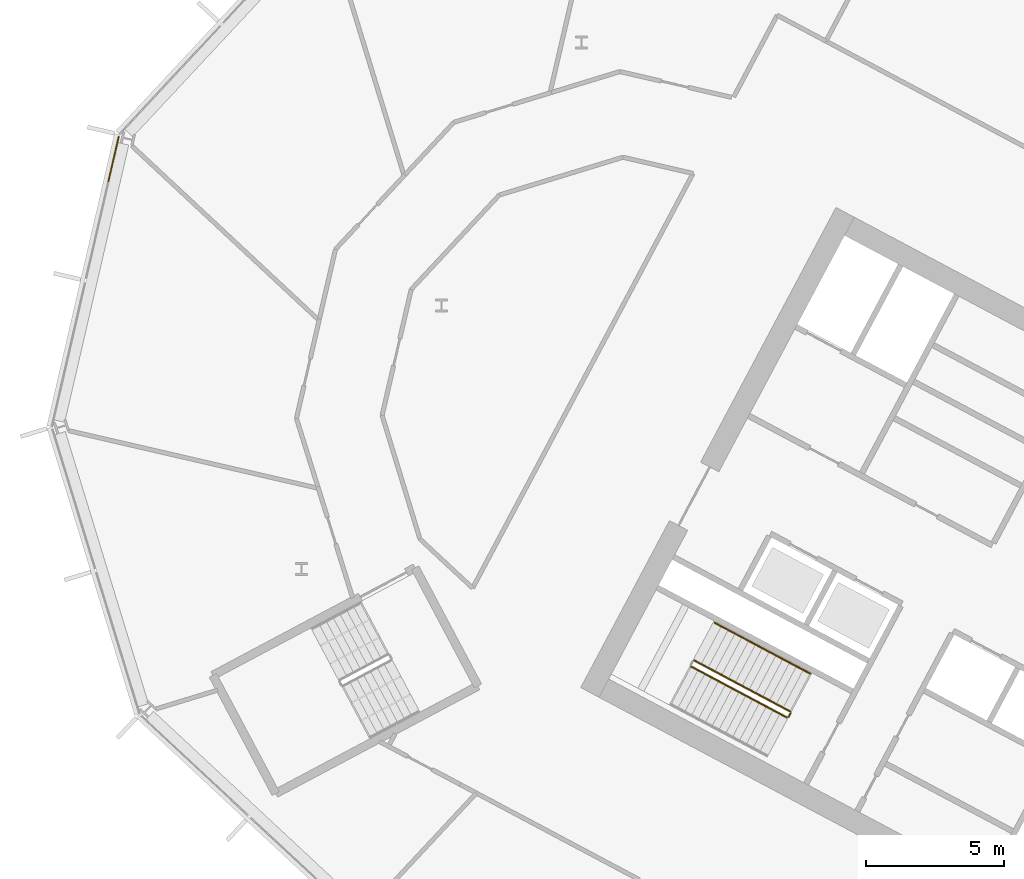
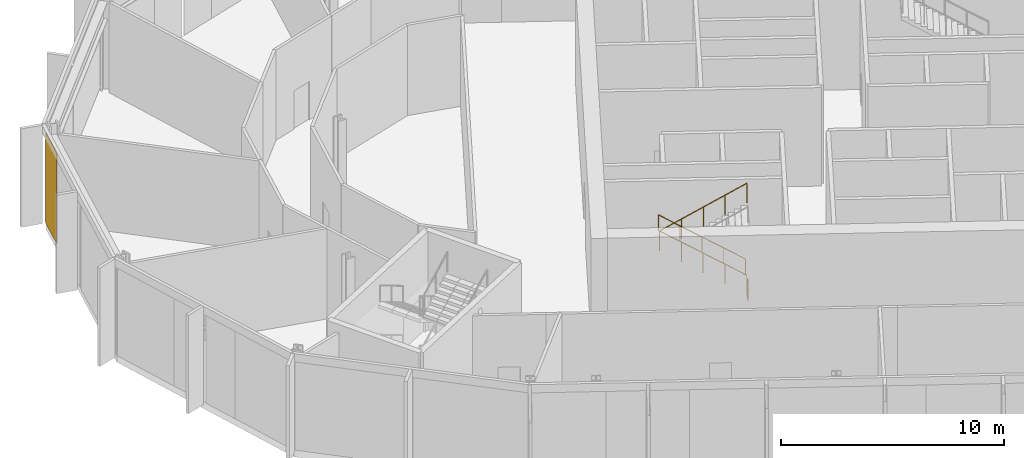
# One storey, part 23 of 31: 4 railings, 1 covering, 1 element without a shape of its own.
"""IFC4 building model written with IfcOpenShell, lengths in metres."""

from ifc_helpers import new_model, si_unit, direction, frame, origin, origin_2d, place, context, subcontext, project, spatial, polyline, rectangle, outline, extrude, material, layer, layer_set, type_object, element, aggregate, save


model = new_model("IFC4")

# Units and contexts
model_context = context("Model", 3, precision=1e-05, world=origin(), true_north=direction((0.0, 1.0)))
body_context = subcontext(model_context, "Body", "Model", "MODEL_VIEW")
ifc_project = project(units=[si_unit("LENGTHUNIT", "METRE"), si_unit("AREAUNIT", "SQUARE_METRE"), si_unit("VOLUMEUNIT", "CUBIC_METRE"), si_unit("PLANEANGLEUNIT", "RADIAN"), si_unit("MASSUNIT", "GRAM", prefix="KILO")], contexts=[model_context])

# Site, building, storey
site_placement = place(None, origin())
site = spatial("IfcSite", under=ifc_project, at=site_placement, CompositionType="ELEMENT")
building_placement = place(site_placement, origin())
building = spatial("IfcBuilding", under=site, at=building_placement, Name="Cormorant Relay Tower", CompositionType="ELEMENT")
storey_placement = place(building_placement, frame((0.0, 0.0, 178.199951171875)))
storey = spatial("IfcBuildingStorey", under=building, at=storey_placement, Name="L38", CompositionType="ELEMENT", Elevation=178.199951171875)

# Curtain wall, covering
ifc_material_1 = material(Name="Aluminium 6063-T6 anodised bronze", Category="aluminium")
ifc_layer_1 = layer(ifc_material_1, 0.199951171875)
ifc_layer_set_1 = layer_set([ifc_layer_1], Name="CW1 unitised bronze curtain wall with vertical fins")
curtain_wall_type = type_object("IfcCurtainWallType", Name="CW1 unitised bronze curtain wall with vertical fins", PredefinedType="NOTDEFINED", material=ifc_layer_set_1)
curtain_wall_placement = place(storey_placement, origin())
curtain_wall = element("IfcCurtainWall", 1, at=curtain_wall_placement, inside=storey, type_object=curtain_wall_type, Name="CW1 curtain wall 13", PredefinedType="NOTDEFINED")
ifc_material_2 = material(Name="Pale bronze anodised aluminium insulated panel", Category="aluminium")
ifc_layer_2 = layer(ifc_material_2, 0.0400390625)
ifc_layer_set_2 = layer_set([ifc_layer_2], Name="CW1 pale bronze insulated panel 40")
covering_type = type_object("IfcCoveringType", Name="CW1 pale bronze insulated panel 40", PredefinedType="CLADDING", material=ifc_layer_set_2)
covering_placement = place(storey_placement, frame((-58.50048828125, 30.095458984375, 0.0), z_axis=(0.0, 0.0, 1.0), x_axis=(-0.224951054344, -0.974370064785, 0.0)))
covering = element("IfcCovering", 2, at=covering_placement, type_object=covering_type, Name="CW1 panel S00", PredefinedType="CLADDING", context=body_context, shape_type="SweptSolid", body=[
    extrude(rectangle(XDim=1.685302734375, YDim=0.0400390625, at=origin_2d()), origin(), (0.0, 0.0, 1.0), 4.949951171875),
])
aggregate(curtain_wall, [covering])

# Railings
ifc_material_3 = material(Name="Steel ASTM A572 Grade 50 (Fy 345 MPa)", Category="steel")
railing_type_1 = type_object("IfcRailingType", Name="Stair guard 1100", PredefinedType="GUARDRAIL", material=ifc_material_3)
railing_1_placement = place(storey_placement, frame((-33.9921875, 10.08935546875, 0.179931640625)))
element("IfcRailing", 3, at=railing_1_placement, inside=storey, type_object=railing_type_1, Name="L38 A2 stair guard 1", PredefinedType="GUARDRAIL", context=body_context, shape_type="SweptSolid", body=[
    extrude(outline(polyline([(0.022216796875, 0.00927734375), (0.00927734375, 0.022216796875), (-0.00927734375, 0.022216796875), (-0.022216796875, 0.00927734375), (-0.022216796875, -0.00927734375), (-0.00927734375, -0.022216796875), (0.00927734375, -0.022216796875), (0.022216796875, -0.00927734375), (0.022216796875, 0.00927734375)])), frame((0.0, 0.0, 1.076171875), z_axis=(-0.74271721126, 0.394907409077, 0.540758062681), x_axis=(-0.469469396681, -0.882948744594, 0.0)), (0.0, 0.0, 1.0), 4.66015625),
    extrude(outline(polyline([(0.019287109375, 0.008056640625), (0.008056640625, 0.019287109375), (-0.008056640625, 0.019287109375), (-0.019287109375, 0.008056640625), (-0.019287109375, -0.008056640625), (-0.008056640625, -0.019287109375), (0.008056640625, -0.019287109375), (0.019287109375, -0.008056640625), (0.019287109375, 0.008056640625)])), origin(), (0.0, 0.0, 1.0), 1.052001953125),
    extrude(outline(polyline([(0.019287109375, 0.008056640625), (0.008056640625, 0.019287109375), (-0.008056640625, 0.019287109375), (-0.019287109375, 0.008056640625), (-0.019287109375, -0.008056640625), (-0.008056640625, -0.019287109375), (0.008056640625, -0.019287109375), (0.019287109375, -0.008056640625), (0.019287109375, 0.008056640625)])), frame((-0.865234375, 0.4599609375, 0.6298828125)), (0.0, 0.0, 1.0), 1.052001953125),
    extrude(outline(polyline([(0.019287109375, 0.008056640625), (0.008056640625, 0.019287109375), (-0.008056640625, 0.019287109375), (-0.019287109375, 0.008056640625), (-0.019287109375, -0.008056640625), (-0.008056640625, -0.019287109375), (0.008056640625, -0.019287109375), (0.019287109375, -0.008056640625), (0.019287109375, 0.008056640625)])), frame((-1.73046875, 0.920166015625, 1.260009765625)), (0.0, 0.0, 1.0), 1.052001953125),
    extrude(outline(polyline([(0.019287109375, 0.008056640625), (0.008056640625, 0.019287109375), (-0.008056640625, 0.019287109375), (-0.019287109375, 0.008056640625), (-0.019287109375, -0.008056640625), (-0.008056640625, -0.019287109375), (0.008056640625, -0.019287109375), (0.019287109375, -0.008056640625), (0.019287109375, 0.008056640625)])), frame((-2.595947265625, 1.38037109375, 1.89013671875)), (0.0, 0.0, 1.0), 1.052001953125),
    extrude(outline(polyline([(0.019287109375, 0.008056640625), (0.008056640625, 0.019287109375), (-0.008056640625, 0.019287109375), (-0.019287109375, 0.008056640625), (-0.019287109375, -0.008056640625), (-0.008056640625, -0.019287109375), (0.008056640625, -0.019287109375), (0.019287109375, -0.008056640625), (0.019287109375, 0.008056640625)])), frame((-3.461181640625, 1.84033203125, 2.52001953125)), (0.0, 0.0, 1.0), 1.052001953125),
])
railing_2_placement = place(storey_placement, frame((-37.57080078125, 11.708984375, 2.880126953125)))
element("IfcRailing", 4, at=railing_2_placement, inside=storey, type_object=railing_type_1, Name="L38 A2 stair guard 3", PredefinedType="GUARDRAIL", context=body_context, shape_type="SweptSolid", body=[
    extrude(outline(polyline([(0.022216796875, 0.00927734375), (0.00927734375, 0.022216796875), (-0.00927734375, 0.022216796875), (-0.022216796875, 0.00927734375), (-0.022216796875, -0.00927734375), (-0.00927734375, -0.022216796875), (0.00927734375, -0.022216796875), (0.022216796875, -0.00927734375), (0.022216796875, 0.00927734375)])), frame((0.0, 0.0, 1.076171875), z_axis=(0.74271721126, -0.394907409077, 0.540758062681), x_axis=(0.469469396681, 0.882948744594, 0.0)), (0.0, 0.0, 1.0), 4.66015625),
    extrude(outline(polyline([(0.019287109375, 0.008056640625), (0.008056640625, 0.019287109375), (-0.008056640625, 0.019287109375), (-0.019287109375, 0.008056640625), (-0.019287109375, -0.008056640625), (-0.008056640625, -0.019287109375), (0.008056640625, -0.019287109375), (0.019287109375, -0.008056640625), (0.019287109375, 0.008056640625)])), origin(), (0.0, 0.0, 1.0), 1.052001953125),
    extrude(outline(polyline([(0.019287109375, 0.008056640625), (0.008056640625, 0.019287109375), (-0.008056640625, 0.019287109375), (-0.019287109375, 0.008056640625), (-0.019287109375, -0.008056640625), (-0.008056640625, -0.019287109375), (0.008056640625, -0.019287109375), (0.019287109375, -0.008056640625), (0.019287109375, 0.008056640625)])), frame((0.865234375, -0.4599609375, 0.6298828125)), (0.0, 0.0, 1.0), 1.052001953125),
    extrude(outline(polyline([(0.019287109375, 0.008056640625), (0.008056640625, 0.019287109375), (-0.008056640625, 0.019287109375), (-0.019287109375, 0.008056640625), (-0.019287109375, -0.008056640625), (-0.008056640625, -0.019287109375), (0.008056640625, -0.019287109375), (0.019287109375, -0.008056640625), (0.019287109375, 0.008056640625)])), frame((1.73046875, -0.920166015625, 1.260009765625)), (0.0, 0.0, 1.0), 1.052001953125),
    extrude(outline(polyline([(0.019287109375, 0.008056640625), (0.008056640625, 0.019287109375), (-0.008056640625, 0.019287109375), (-0.019287109375, 0.008056640625), (-0.019287109375, -0.008056640625), (-0.008056640625, -0.019287109375), (0.008056640625, -0.019287109375), (0.019287109375, -0.008056640625), (0.019287109375, 0.008056640625)])), frame((2.595947265625, -1.38037109375, 1.89013671875)), (0.0, 0.0, 1.0), 1.052001953125),
    extrude(outline(polyline([(0.019287109375, 0.008056640625), (0.008056640625, 0.019287109375), (-0.008056640625, 0.019287109375), (-0.019287109375, 0.008056640625), (-0.019287109375, -0.008056640625), (-0.008056640625, -0.019287109375), (0.008056640625, -0.019287109375), (0.019287109375, -0.008056640625), (0.019287109375, 0.008056640625)])), frame((3.461181640625, -1.84033203125, 2.52001953125)), (0.0, 0.0, 1.0), 1.052001953125),
])
railing_3_placement = place(storey_placement, frame((-33.971435546875, 10.021728515625, 0.0)))
element("IfcRailing", 5, at=railing_3_placement, inside=storey, type_object=railing_type_1, Name="L38 A2 stair guard 4", PredefinedType="GUARDRAIL", context=body_context, shape_type="SweptSolid", body=[
    extrude(outline(polyline([(0.022216796875, 0.00927734375), (0.00927734375, 0.022216796875), (-0.00927734375, 0.022216796875), (-0.022216796875, 0.00927734375), (-0.022216796875, -0.00927734375), (-0.00927734375, -0.022216796875), (0.00927734375, -0.022216796875), (0.022216796875, -0.00927734375), (0.022216796875, 0.00927734375)])), frame((0.0, 0.0, 1.076171875), z_axis=(-0.470503732759, -0.882398003998, 0.0), x_axis=(0.882398003998, -0.470503732759, 0.0)), (0.0, 0.0, 1.0), 0.14990234375),
    extrude(outline(polyline([(0.019287109375, 0.008056640625), (0.008056640625, 0.019287109375), (-0.008056640625, 0.019287109375), (-0.019287109375, 0.008056640625), (-0.019287109375, -0.008056640625), (-0.008056640625, -0.019287109375), (0.008056640625, -0.019287109375), (0.019287109375, -0.008056640625), (0.019287109375, 0.008056640625)])), origin(), (0.0, 0.0, 1.0), 1.052001953125),
    extrude(outline(polyline([(0.019287109375, 0.008056640625), (0.008056640625, 0.019287109375), (-0.008056640625, 0.019287109375), (-0.019287109375, 0.008056640625), (-0.019287109375, -0.008056640625), (-0.008056640625, -0.019287109375), (0.008056640625, -0.019287109375), (0.019287109375, -0.008056640625), (0.019287109375, 0.008056640625)])), frame((-0.070556640625, -0.13232421875, 0.0)), (0.0, 0.0, 1.0), 1.052001953125),
])
ifc_material_4 = material(Name="Steel ASTM A572 Grade 50 (Fy 345 MPa)", Category="steel")
railing_type_2 = type_object("IfcRailingType", Name="Stair handrail 900", PredefinedType="HANDRAIL", material=ifc_material_4)
railing_4_placement = place(storey_placement, frame((-33.264404296875, 11.4580078125, 0.179931640625)))
element("IfcRailing", 6, at=railing_4_placement, inside=storey, type_object=railing_type_2, Name="L38 A2 stair handrail 1", PredefinedType="HANDRAIL", context=body_context, shape_type="SweptSolid", body=[
    extrude(outline(polyline([(0.022216796875, 0.00927734375), (0.00927734375, 0.022216796875), (-0.00927734375, 0.022216796875), (-0.022216796875, 0.00927734375), (-0.022216796875, -0.00927734375), (-0.00927734375, -0.022216796875), (0.00927734375, -0.022216796875), (0.022216796875, -0.00927734375), (0.022216796875, 0.00927734375)])), frame((0.0, 0.0, 0.8759765625), z_axis=(-0.74271721126, 0.394907409077, 0.540758062681), x_axis=(-0.469469396681, -0.882948744594, 0.0)), (0.0, 0.0, 1.0), 4.66015625),
    extrude(outline(polyline([(0.019287109375, 0.008056640625), (0.008056640625, 0.019287109375), (-0.008056640625, 0.019287109375), (-0.019287109375, 0.008056640625), (-0.019287109375, -0.008056640625), (-0.008056640625, -0.019287109375), (0.008056640625, -0.019287109375), (0.019287109375, -0.008056640625), (0.019287109375, 0.008056640625)])), origin(), (0.0, 0.0, 1.0), 0.851806640625),
    extrude(outline(polyline([(0.019287109375, 0.008056640625), (0.008056640625, 0.019287109375), (-0.008056640625, 0.019287109375), (-0.019287109375, 0.008056640625), (-0.019287109375, -0.008056640625), (-0.008056640625, -0.019287109375), (0.008056640625, -0.019287109375), (0.019287109375, -0.008056640625), (0.019287109375, 0.008056640625)])), frame((-0.865234375, 0.4599609375, 0.6298828125)), (0.0, 0.0, 1.0), 0.851806640625),
    extrude(outline(polyline([(0.019287109375, 0.008056640625), (0.008056640625, 0.019287109375), (-0.008056640625, 0.019287109375), (-0.019287109375, 0.008056640625), (-0.019287109375, -0.008056640625), (-0.008056640625, -0.019287109375), (0.008056640625, -0.019287109375), (0.019287109375, -0.008056640625), (0.019287109375, 0.008056640625)])), frame((-1.73046875, 0.920166015625, 1.260009765625)), (0.0, 0.0, 1.0), 0.851806640625),
    extrude(outline(polyline([(0.019287109375, 0.008056640625), (0.008056640625, 0.019287109375), (-0.008056640625, 0.019287109375), (-0.019287109375, 0.008056640625), (-0.019287109375, -0.008056640625), (-0.008056640625, -0.019287109375), (0.008056640625, -0.019287109375), (0.019287109375, -0.008056640625), (0.019287109375, 0.008056640625)])), frame((-2.595947265625, 1.38037109375, 1.89013671875)), (0.0, 0.0, 1.0), 0.851806640625),
    extrude(outline(polyline([(0.019287109375, 0.008056640625), (0.008056640625, 0.019287109375), (-0.008056640625, 0.019287109375), (-0.019287109375, 0.008056640625), (-0.019287109375, -0.008056640625), (-0.008056640625, -0.019287109375), (0.008056640625, -0.019287109375), (0.019287109375, -0.008056640625), (0.019287109375, 0.008056640625)])), frame((-3.461181640625, 1.84033203125, 2.52001953125)), (0.0, 0.0, 1.0), 0.851806640625),
])

save(model, "model.ifc")
